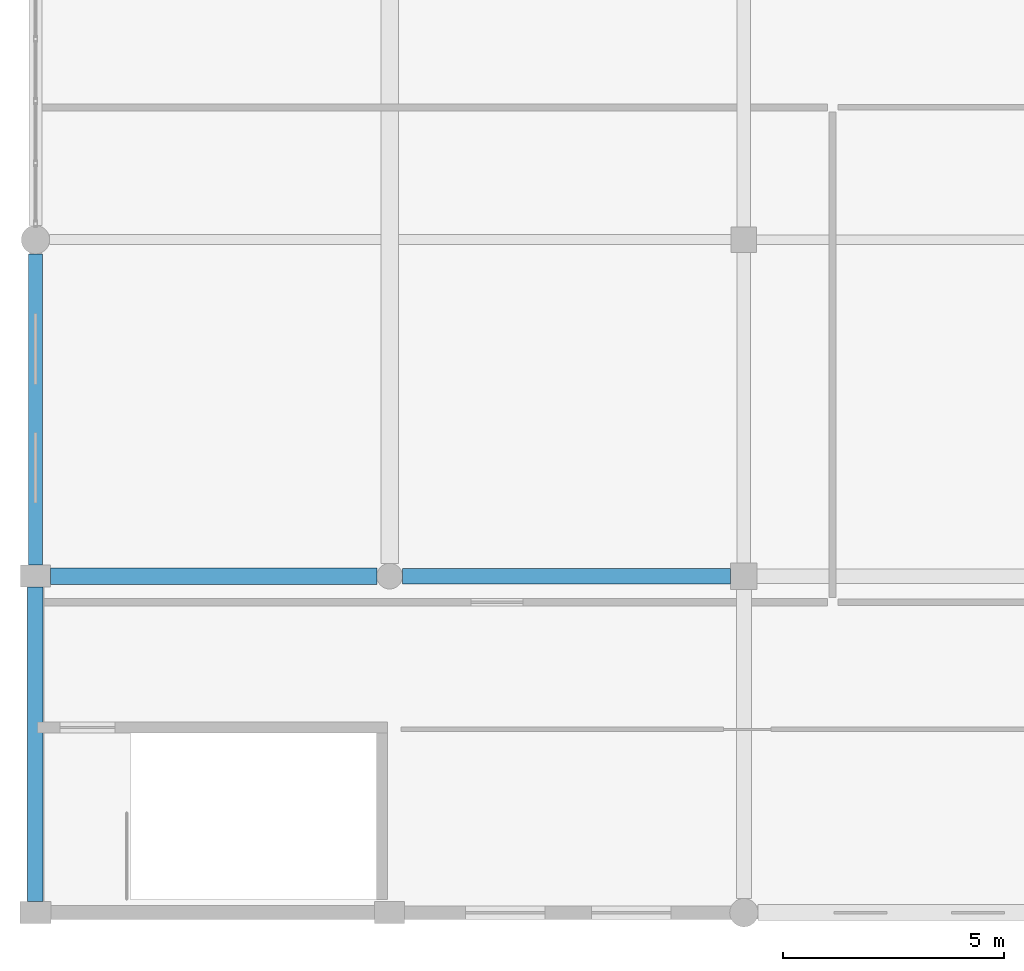
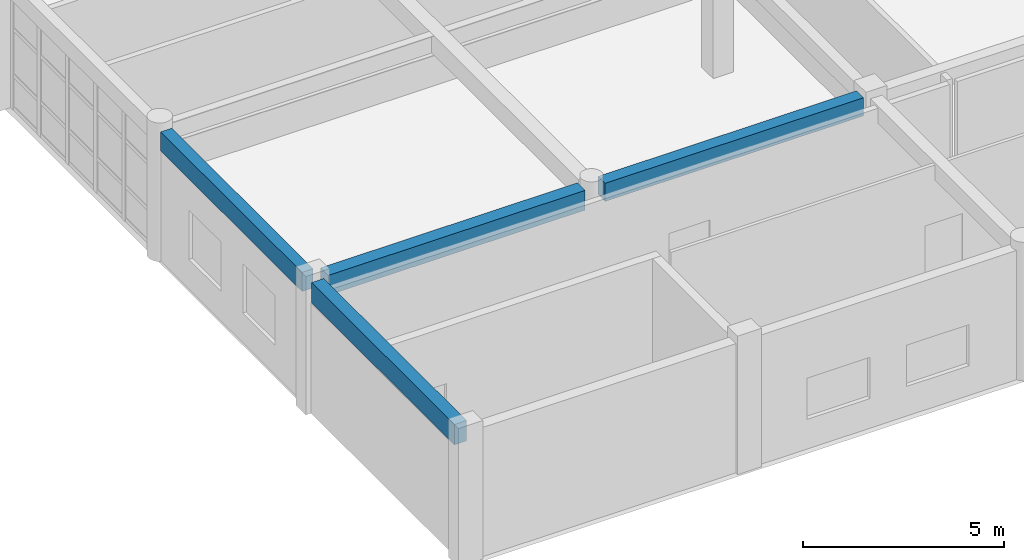
# One storey, part 10 of 121: 4 beams.
"""IFC4 building model written with IfcOpenShell, lengths in metres."""

import ifcopenshell
import ifcopenshell.guid

model = None  # the IFC model being written
_history = None  # IfcOwnerHistory: only IFC2X3 demands one
_inside = {}  # id of a spatial element -> (the spatial element, [elements in it])
_under = {}  # id of a project, library or spatial element -> (it, [spatial elements below it])
_declared = {}  # id of a project -> (the project, [libraries it declares])
_typed = {}  # id of a type object -> (the type object, [elements of that type])
_made_of = {}  # id of a material, layer set ... -> (it, [elements and type objects made of it])


def new_model(schema):
    """Start an empty IFC model of exactly this schema.

    Asked for "IFC4X3", IfcOpenShell would pick the latest addendum, in which some entities
    have other attributes; the version numbers below select the first issue.
    IFC2X3 requires an IfcOwnerHistory on every rooted entity: one is made here for all.
    """
    global model, _history
    if schema == "IFC4X3":
        model = ifcopenshell.file(schema_version=(4, 3, 0, 0))
    else:
        model = ifcopenshell.file(schema=schema)
    _inside.clear()
    _under.clear()
    _declared.clear()
    _typed.clear()
    _made_of.clear()
    _history = None
    if model.schema == "IFC2X3":
        org = make("IfcOrganization", Name="unknown")
        user = make(
            "IfcPersonAndOrganization",
            ThePerson=make("IfcPerson", FamilyName="unknown"),
            TheOrganization=org,
        )
        app = make(
            "IfcApplication",
            ApplicationDeveloper=org,
            Version="unknown",
            ApplicationFullName="unknown",
            ApplicationIdentifier="unknown",
        )
        _history = make(
            "IfcOwnerHistory",
            OwningUser=user,
            OwningApplication=app,
            ChangeAction="ADDED",
            CreationDate=0,
        )
    return model


def make(cls, **values):
    """One entity of the class cls with the attributes given. An attribute that is None is left unset."""
    return model.create_entity(
        cls, **{name: value for name, value in values.items() if value is not None}
    )


def rooted(cls, **values):
    """An entity with a GlobalId (a new one), such as an element, a storey or a relation."""
    return make(cls, GlobalId=ifcopenshell.guid.new(), OwnerHistory=_history, **values)


def si_unit(unit_type, name, prefix=None):
    """IfcSIUnit, for example si_unit("LENGTHUNIT", "METRE", prefix="MILLI")."""
    return make("IfcSIUnit", UnitType=unit_type, Prefix=prefix, Name=name)


def assignment(units):
    """IfcUnitAssignment: the units of a project."""
    return None if units is None else make("IfcUnitAssignment", Units=units)


def point(xyz):
    """IfcCartesianPoint."""
    return None if xyz is None else make("IfcCartesianPoint", Coordinates=xyz)


def direction(xyz):
    """IfcDirection."""
    return None if xyz is None else make("IfcDirection", DirectionRatios=xyz)


def frame(location, z_axis=None, x_axis=None):
    """IfcAxis2Placement3D, a coordinate frame: its origin and axes. An axis left out is left unset."""
    return make(
        "IfcAxis2Placement3D",
        Location=point(location),
        Axis=direction(z_axis),
        RefDirection=direction(x_axis),
    )


def frame_2d(location, x_axis=None):
    """IfcAxis2Placement2D, a coordinate frame in the plane: its origin and x axis."""
    return make(
        "IfcAxis2Placement2D", Location=point(location), RefDirection=direction(x_axis)
    )


def origin():
    """The frame at (0, 0, 0) with its axes left unset."""
    return frame((0.0, 0.0, 0.0))


def origin_2d():
    """The frame at (0, 0) in the plane with its x axis left unset."""
    return frame_2d((0.0, 0.0))


def place(relative_to, where):
    """IfcLocalPlacement: puts the frame where relative to a parent placement (None: the world)."""
    return make(
        "IfcLocalPlacement", PlacementRelTo=relative_to, RelativePlacement=where
    )


def context(
    kind, dimensions, precision=None, world=None, true_north=None, identifier=None
):
    """IfcGeometricRepresentationContext, for example the 3D "Model" context."""
    return make(
        "IfcGeometricRepresentationContext",
        ContextIdentifier=identifier,
        ContextType=kind,
        CoordinateSpaceDimension=dimensions,
        Precision=precision,
        WorldCoordinateSystem=world,
        TrueNorth=true_north,
    )


def subcontext(parent, identifier, kind, view, scale=None):
    """IfcGeometricRepresentationSubContext, for example "Body" below "Model"."""
    return make(
        "IfcGeometricRepresentationSubContext",
        ContextIdentifier=identifier,
        ContextType=kind,
        ParentContext=parent,
        TargetScale=scale,
        TargetView=view,
    )


def project(units=None, contexts=None):
    """IfcProject with its units and contexts."""
    return rooted(
        "IfcProject",
        Name="project",
        RepresentationContexts=contexts,
        UnitsInContext=assignment(units),
    )


def spatial(cls, under=None, at=None, **own):
    """A site, building, storey or space (cls), placed at a placement, below another one or the project."""
    s = rooted(cls, ObjectPlacement=at, **own)
    if under is not None:
        _under.setdefault(under.id(), (under, []))[1].append(s)
    return s


def profile(cls, at=None, kind="AREA", **sizes):
    """A parametric profile (cls). Its sizes go by their IFC names, for example OverallWidth=200.0."""
    return make(cls, ProfileType=kind, Position=at, **sizes)


def rectangle(**sizes):
    """IfcRectangleProfileDef."""
    return profile("IfcRectangleProfileDef", **sizes)


def extrude(swept, where, along, depth):
    """IfcExtrudedAreaSolid: the profile swept, set in the frame where, extruded along a direction by depth."""
    return make(
        "IfcExtrudedAreaSolid",
        SweptArea=swept,
        Position=where,
        ExtrudedDirection=direction(along),
        Depth=depth,
    )


def shape(context_of_items, identifier, shape_type, items):
    """IfcShapeRepresentation: the items that make up one representation, for example the "Body"."""
    return make(
        "IfcShapeRepresentation",
        ContextOfItems=context_of_items,
        RepresentationIdentifier=identifier,
        RepresentationType=shape_type,
        Items=items,
    )


def material(Name=None, Category=None):
    """IfcMaterial."""
    return make("IfcMaterial", Name=Name, Category=Category)


def material_profile(
    of_material, cross_section, Name=None, Category=None, Priority=None
):
    """IfcMaterialProfile: a cross section and its material."""
    return make(
        "IfcMaterialProfile",
        Name=Name,
        Material=of_material,
        Profile=cross_section,
        Priority=Priority,
        Category=Category,
    )


def profile_set(profiles, Name=None, composite=None):
    """IfcMaterialProfileSet."""
    return make(
        "IfcMaterialProfileSet",
        Name=Name,
        MaterialProfiles=profiles,
        CompositeProfile=composite,
    )


def made_of(thing, what):
    """Note that an element or type object is made of a material, layer set ...; save() writes the relation."""
    if what is not None:
        _made_of.setdefault(what.id(), (what, []))[1].append(thing)
    return thing


def type_object(cls, material=None, **own):
    """A type object (cls), such as IfcWallType, which elements share."""
    return made_of(rooted(cls, **own), material)


def element(
    cls,
    number,
    at=None,
    inside=None,
    cuts=None,
    type_object=None,
    material=None,
    context=None,
    identifier="Body",
    shape_type=None,
    held_by="IfcProductDefinitionShape",
    body=None,
    shapes=None,
    **own,
):
    """One element of the class cls, such as IfcWall. Its Tag is "e" and its number.

    at: its placement. inside: the storey or other place that contains it. cuts: it is an
    opening in that element (IfcRelVoidsElement). A single representation is given by context,
    identifier, shape_type and body (its items); several are given by shapes. held_by: the class
    of the entity that holds the representations. save() writes the other relations.
    """
    e = rooted(cls, Tag="e%d" % number, ObjectPlacement=at, **own)
    if body is not None:
        shapes = [shape(context, identifier, shape_type, body)]
    if shapes is not None:
        e.Representation = make(held_by, Representations=shapes)
    if inside is not None:
        _inside.setdefault(inside.id(), (inside, []))[1].append(e)
    if cuts is not None:
        rooted(
            "IfcRelVoidsElement", RelatingBuildingElement=cuts, RelatedOpeningElement=e
        )
    if type_object is not None:
        _typed.setdefault(type_object.id(), (type_object, []))[1].append(e)
    return made_of(e, material)


def aggregate(whole, parts):
    """IfcRelAggregates: a whole, such as a stair, and the parts it consists of."""
    return rooted("IfcRelAggregates", RelatingObject=whole, RelatedObjects=parts)


def save(model, path):
    """Write the relations noted so far, then the file.

    IfcRelAggregates (storeys below a building ...), IfcRelContainedInSpatialStructure (elements
    in a storey), IfcRelDefinesByType, IfcRelAssociatesMaterial and IfcRelDeclares: one each for
    every whole, place, type object, material and project.
    """
    for whole, parts in _under.values():
        aggregate(whole, parts)
    for where, things in _inside.values():
        rooted(
            "IfcRelContainedInSpatialStructure",
            RelatedElements=things,
            RelatingStructure=where,
        )
    for kind, things in _typed.values():
        rooted("IfcRelDefinesByType", RelatedObjects=things, RelatingType=kind)
    for what, things in _made_of.values():
        rooted("IfcRelAssociatesMaterial", RelatedObjects=things, RelatingMaterial=what)
    for by, libraries in _declared.values():
        rooted("IfcRelDeclares", RelatingContext=by, RelatedDefinitions=libraries)
    model.write(path)


model = new_model("IFC4")

# Units and contexts
model_context = context("Model", 3, precision=1e-05, world=origin(), true_north=direction((0.0, 1.0)))
body_context = subcontext(model_context, "Body", "Model", "MODEL_VIEW")
ifc_project = project(units=[si_unit("LENGTHUNIT", "METRE"), si_unit("AREAUNIT", "SQUARE_METRE"), si_unit("VOLUMEUNIT", "CUBIC_METRE"), si_unit("PLANEANGLEUNIT", "RADIAN"), si_unit("MASSUNIT", "GRAM", prefix="KILO")], contexts=[model_context])

# Site, building, storey
site_placement = place(None, origin())
site = spatial("IfcSite", under=ifc_project, at=site_placement, CompositionType="ELEMENT")
building_placement = place(site_placement, origin())
building = spatial("IfcBuilding", under=site, at=building_placement, Name="Kharva Crest Polytechnic", CompositionType="ELEMENT")
storey_placement = place(building_placement, frame((0.0, 0.0, 13.199951171875)))
storey = spatial("IfcBuildingStorey", under=building, at=storey_placement, Name="L03", CompositionType="ELEMENT", Elevation=13.199951171875)

# Beams
ifc_material = material(Name="Concrete C35/45", Category="concrete")
ifc_material_profile_1 = material_profile(ifc_material, rectangle(XDim=0.35009765625, YDim=0.550048828125, at=origin_2d()), Name="RECT 350 X 550")
ifc_profile_set_1 = profile_set([ifc_material_profile_1], Name="Concrete C35/45")
beam_type_1 = type_object("IfcBeamType", Name="BM-RC-350X550", PredefinedType="BEAM", material=ifc_profile_set_1)
beam_1_placement = place(storey_placement, frame((8.2900390625, 7.60009765625, 3.68505859375), z_axis=(1.0, 0.0, 0.0), x_axis=(0.0, 1.0, 0.0)))
element("IfcBeam", 1, at=beam_1_placement, inside=storey, type_object=beam_type_1, Name="L03 Beam B/2-3", PredefinedType="BEAM", context=body_context, shape_type="SweptSolid", body=[
    extrude(rectangle(XDim=0.35009765625, YDim=0.550048828125, at=origin_2d()), origin(), (0.0, 0.0, 1.0), 7.409912109375),
])
ifc_material_profile_2 = material_profile(ifc_material, rectangle(XDim=0.3798828125, YDim=0.60009765625, at=origin_2d()), Name="RECT 380 X 600")
ifc_profile_set_2 = profile_set([ifc_material_profile_2], Name="Concrete C35/45")
beam_type_2 = type_object("IfcBeamType", Name="BM-RC-380X600", PredefinedType="BEAM", material=ifc_profile_set_2)
beam_2_placement = place(storey_placement, frame((0.340087890625, 7.60009765625, 3.66015625), z_axis=(1.0, 0.0, 0.0), x_axis=(0.0, 1.0, 0.0)))
element("IfcBeam", 2, at=beam_2_placement, inside=storey, type_object=beam_type_2, Name="L03 Beam B/1-2", PredefinedType="BEAM", context=body_context, shape_type="SweptSolid", body=[
    extrude(rectangle(XDim=0.3798828125, YDim=0.60009765625, at=origin_2d()), origin(), (0.0, 0.0, 1.0), 7.369873046875),
])
ifc_material_profile_3 = material_profile(ifc_material, rectangle(XDim=0.320068359375, YDim=0.580078125, at=origin_2d()), Name="RECT 320 X 580")
ifc_profile_set_3 = profile_set([ifc_material_profile_3], Name="Concrete C35/45")
beam_type_3 = type_object("IfcBeamType", Name="SP-RC-320X580", PredefinedType="SPANDREL", material=ifc_profile_set_3)
beam_3_placement = place(storey_placement, frame((0.0, 7.85009765625, 3.670166015625), z_axis=(0.0, 1.0, 0.0), x_axis=(-1.0, 0.0, 0.0)))
element("IfcBeam", 3, at=beam_3_placement, inside=storey, type_object=beam_type_3, Name="L03 Girder 1/B-C", PredefinedType="SPANDREL", context=body_context, shape_type="SweptSolid", body=[
    extrude(rectangle(XDim=0.320068359375, YDim=0.580078125, at=origin_2d()), origin(), (0.0, 0.0, 1.0), 7.02978515625),
])
ifc_material_profile_4 = material_profile(ifc_material, rectangle(XDim=0.35009765625, YDim=0.6201171875, at=origin_2d()), Name="RECT 350 X 620")
ifc_profile_set_4 = profile_set([ifc_material_profile_4], Name="Concrete C35/45")
beam_type_4 = type_object("IfcBeamType", Name="SP-RC-350X620", PredefinedType="SPANDREL", material=ifc_profile_set_4)
beam_4_placement = place(storey_placement, frame((0.0, 0.25, 3.650146484375), z_axis=(0.0, 1.0, 0.0), x_axis=(-1.0, 0.0, 0.0)))
element("IfcBeam", 4, at=beam_4_placement, inside=storey, type_object=beam_type_4, Name="L03 Girder 1/A-B", PredefinedType="SPANDREL", context=body_context, shape_type="SweptSolid", body=[
    extrude(rectangle(XDim=0.35009765625, YDim=0.6201171875, at=origin_2d()), origin(), (0.0, 0.0, 1.0), 7.10009765625),
])

save(model, "model.ifc")
